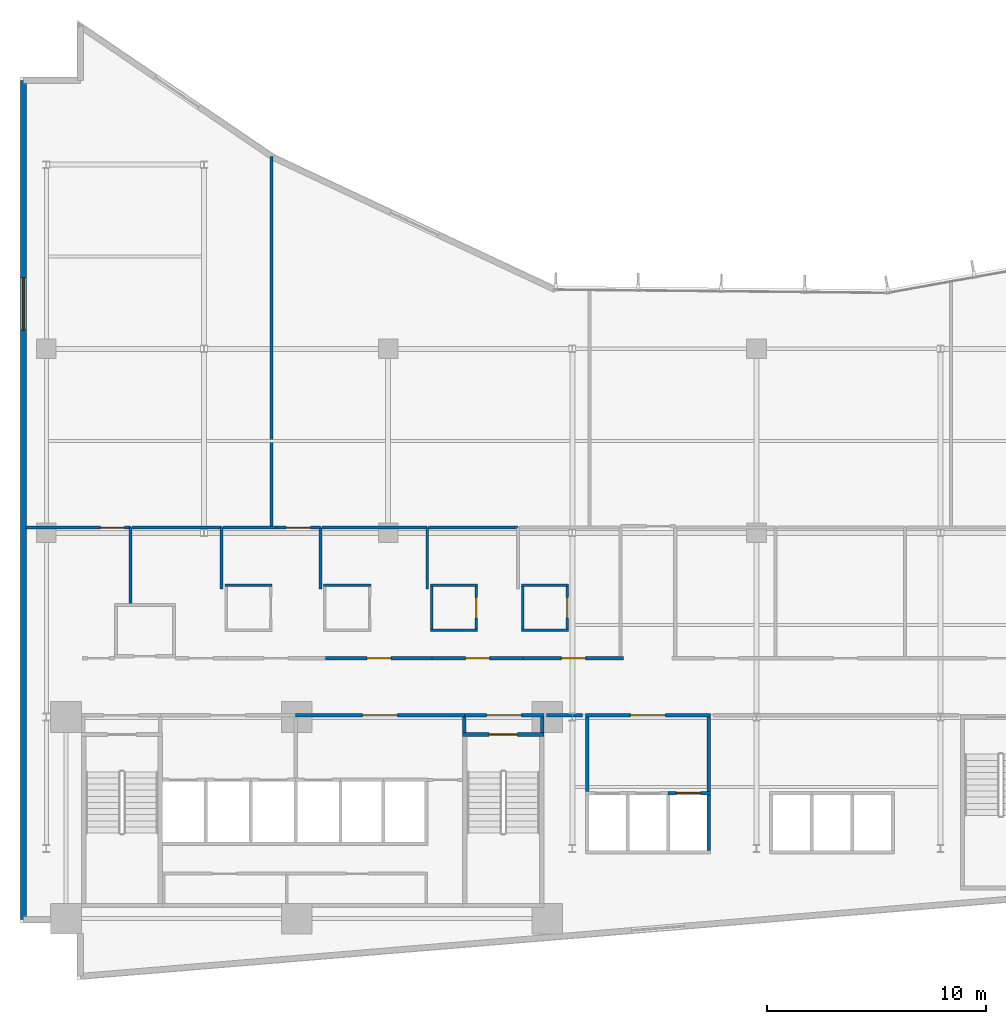
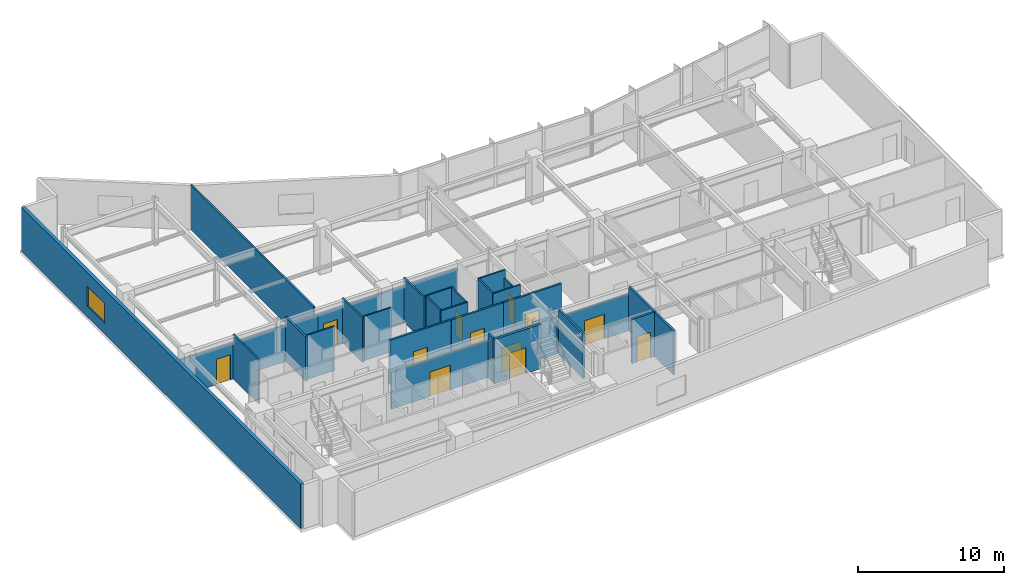
# One storey, part 11 of 18: 36 walls, 12 doors, 1 window, 13 openings.
"""IFC4 building model written with IfcOpenShell, lengths in metres."""

from ifc_helpers import new_model, si_unit, direction, frame, frame_2d, origin, place, context, subcontext, project, spatial, rectangle, extrude, material, layer, layer_set, type_object, element, fill, save


model = new_model("IFC4")

# Units and contexts
model_context = context("Model", 3, precision=1e-05, world=origin(), true_north=direction((0.0, 1.0)))
body_context = subcontext(model_context, "Body", "Model", "MODEL_VIEW")
ifc_project = project(units=[si_unit("LENGTHUNIT", "METRE"), si_unit("AREAUNIT", "SQUARE_METRE"), si_unit("VOLUMEUNIT", "CUBIC_METRE"), si_unit("PLANEANGLEUNIT", "RADIAN"), si_unit("MASSUNIT", "GRAM", prefix="KILO")], contexts=[model_context])

# Site, building, storey
site_placement = place(None, origin())
site = spatial("IfcSite", under=ifc_project, at=site_placement, CompositionType="ELEMENT")
building_placement = place(site_placement, origin())
building = spatial("IfcBuilding", under=site, at=building_placement, Name="Varnakote Quay Hospital", CompositionType="ELEMENT")
storey_placement = place(building_placement, frame((0.0, 0.0, 73.85009765625)))
storey = spatial("IfcBuildingStorey", under=building, at=storey_placement, Name="L18", CompositionType="ELEMENT", Elevation=73.85009765625)

# Wall, opening, door
ifc_material_1 = material(Name="Fire-rated acoustic gypsum stud wall", Category="gypsum")
ifc_layer_1 = layer(ifc_material_1, 0.159912109375)
ifc_layer_set_1 = layer_set([ifc_layer_1], Name="Fire-rated acoustic gypsum stud wall")
wall_type_1 = type_object("IfcWallType", Name="WL-COMP-160", PredefinedType="PARTITIONING", material=ifc_layer_set_1)
wall_1_placement = place(storey_placement, frame((12.580078125, 12.080078125, 0.0), z_axis=(0.0, 0.0, 1.0), x_axis=(1.0, 0.0, 0.0)))
wall_1 = element("IfcWall", 1, at=wall_1_placement, inside=storey, type_object=wall_type_1, Name="L18 Clinical Bed Lift Lobby Wall", PredefinedType="PARTITIONING", context=body_context, shape_type="SweptSolid", body=[
    extrude(rectangle(XDim=7.699951171875, YDim=0.159912109375, at=frame_2d((3.85009765625, 0.0))), origin(), (0.0, 0.0, 1.0), 3.072998046875),
])
opening_1_placement = place(wall_1_placement, frame((3.050048828125, 0.0, 0.0)))
opening_1 = element("IfcOpeningElement", 2, at=opening_1_placement, cuts=wall_1, Name="Opening D-SVL-L18", PredefinedType="OPENING", context=body_context, shape_type="SweptSolid", body=[
    extrude(rectangle(XDim=1.60009765625, YDim=2.050048828125, at=frame_2d((0.800048828125, 1.02490234375))), frame((0.0, 0.08984375, 0.0), z_axis=(0.0, -1.0, 0.0), x_axis=(1.0, 0.0, 0.0)), (0.0, 0.0, 1.0), 0.179931640625),
])
ifc_material_2 = material(Name="Fire-rated double smoke lobby door")
door_type_1 = type_object("IfcDoorType", Name="DR-LOBBY-FD60S-1600x2150", OperationType="NOTDEFINED", PredefinedType="DOOR", material=ifc_material_2)
door_1_placement = place(opening_1_placement, origin())
door_1 = element("IfcDoor", 3, at=door_1_placement, inside=storey, type_object=door_type_1, Name="L18 Clinical Core Smoke Vestibule Door", OperationType="DOUBLE_DOOR_SINGLE_SWING", OverallHeight=2.050048828125, OverallWidth=1.60009765625, PredefinedType="DOOR", context=body_context, shape_type="SweptSolid", body=[
    extrude(rectangle(XDim=1.60009765625, YDim=2.050048828125, at=frame_2d((0.800048828125, 1.02490234375))), frame((0.0, 0.02490234375, 0.0), z_axis=(0.0, -1.0, 0.0), x_axis=(1.0, 0.0, 0.0)), (0.0, 0.0, 1.0), 0.050048828125),
])
fill(opening_1, door_1)

# Wall
wall_2_placement = place(storey_placement, frame((20.280029296875, 11.300048828125, 0.0), z_axis=(0.0, 0.0, 1.0), x_axis=(0.0, 1.0, 0.0)))
element("IfcWall", 4, at=wall_2_placement, inside=storey, type_object=wall_type_1, Name="L18 East Stair Vestibule Divider Wall", PredefinedType="PARTITIONING", context=body_context, shape_type="SweptSolid", body=[
    extrude(rectangle(XDim=0.699951171875, YDim=0.159912109375, at=frame_2d((0.35009765625, 0.0))), origin(), (0.0, 0.0, 1.0), 3.7099609375),
])

# Wall, opening, door
wall_3_placement = place(storey_placement, frame((20.280029296875, 12.080078125, 0.0), z_axis=(0.0, 0.0, 1.0), x_axis=(1.0, 0.0, 0.0)))
wall_3 = element("IfcWall", 5, at=wall_3_placement, inside=storey, type_object=wall_type_1, Name="L18 East Stair Vestibule Smoke Wall", PredefinedType="PARTITIONING", context=body_context, shape_type="SweptSolid", body=[
    extrude(rectangle(XDim=3.619873046875, YDim=0.159912109375, at=frame_2d((1.81005859375, 0.0))), origin(), (0.0, 0.0, 1.0), 3.072998046875),
])
opening_2_placement = place(wall_3_placement, frame((1.010009765625, 0.0, 0.0)))
opening_2 = element("IfcOpeningElement", 6, at=opening_2_placement, cuts=wall_3, Name="Opening D-ST2L-L18", PredefinedType="OPENING", context=body_context, shape_type="SweptSolid", body=[
    extrude(rectangle(XDim=1.60009765625, YDim=2.050048828125, at=frame_2d((0.800048828125, 1.02490234375))), frame((0.0, 0.08984375, 0.0), z_axis=(0.0, -1.0, 0.0), x_axis=(1.0, 0.0, 0.0)), (0.0, 0.0, 1.0), 0.179931640625),
])
door_2_placement = place(opening_2_placement, origin())
door_2 = element("IfcDoor", 7, at=door_2_placement, inside=storey, type_object=door_type_1, Name="L18 East Stair Vestibule Smoke Door", OperationType="DOUBLE_DOOR_SINGLE_SWING", OverallHeight=2.050048828125, OverallWidth=1.60009765625, PredefinedType="DOOR", context=body_context, shape_type="SweptSolid", body=[
    extrude(rectangle(XDim=1.60009765625, YDim=2.050048828125, at=frame_2d((0.800048828125, 1.02490234375))), frame((0.0, 0.02490234375, 0.0), z_axis=(0.0, -1.0, 0.0), x_axis=(1.0, 0.0, 0.0)), (0.0, 0.0, 1.0), 0.050048828125),
])
fill(opening_2, door_2)

# Walls
wall_4_placement = place(storey_placement, frame((23.820068359375, 11.300048828125, 0.0), z_axis=(0.0, 0.0, 1.0), x_axis=(0.0, 1.0, 0.0)))
element("IfcWall", 8, at=wall_4_placement, inside=storey, type_object=wall_type_1, Name="L18 East Stair Vestibule East Wall", PredefinedType="PARTITIONING", context=body_context, shape_type="SweptSolid", body=[
    extrude(rectangle(XDim=0.699951171875, YDim=0.159912109375, at=frame_2d((0.35009765625, 0.0))), origin(), (0.0, 0.0, 1.0), 3.7099609375),
])
for number, where, z_axis, x_axis, name in (
    (9, (25.8701171875, 8.610107421875, 0.0), (0.0, 0.0, 1.0), (0.0, 1.0, 0.0), "L18 Low-Rise Lift Lobby West Wall"),
    (10, (31.429931640625, 8.610107421875, 0.0), (0.0, 0.0, 1.0), (0.0, 1.0, 0.0), "L18 Low-Rise Lift Lobby East Wall"),
):
    element("IfcWall", number, at=place(storey_placement, frame(where, z_axis=z_axis, x_axis=x_axis)), inside=storey, type_object=wall_type_1, Name=name, PredefinedType="PARTITIONING", context=body_context, shape_type="SweptSolid", body=[
        extrude(rectangle(XDim=3.389892578125, YDim=0.159912109375, at=frame_2d((1.69482421875, 0.0))), origin(), (0.0, 0.0, 1.0), 3.7099609375),
    ])

# Wall, opening, door
wall_5_placement = place(storey_placement, frame((25.7900390625, 12.080078125, 0.0), z_axis=(0.0, 0.0, 1.0), x_axis=(1.0, 0.0, 0.0)))
wall_5 = element("IfcWall", 11, at=wall_5_placement, inside=storey, type_object=wall_type_1, Name="L18 Low-Rise Lift Lobby North Wall", PredefinedType="PARTITIONING", context=body_context, shape_type="SweptSolid", body=[
    extrude(rectangle(XDim=5.719970703125, YDim=0.159912109375, at=frame_2d((2.85986328125, 0.0))), origin(), (0.0, 0.0, 1.0), 3.072998046875),
])
opening_3_placement = place(wall_5_placement, frame((2.06005859375, 0.0, 0.0)))
opening_3 = element("IfcOpeningElement", 12, at=opening_3_placement, cuts=wall_5, Name="Opening D-PLL-L18", PredefinedType="OPENING", context=body_context, shape_type="SweptSolid", body=[
    extrude(rectangle(XDim=1.60009765625, YDim=2.050048828125, at=frame_2d((0.800048828125, 1.02490234375))), frame((0.0, 0.08984375, 0.0), z_axis=(0.0, -1.0, 0.0), x_axis=(1.0, 0.0, 0.0)), (0.0, 0.0, 1.0), 0.179931640625),
])
door_3_placement = place(opening_3_placement, origin())
door_3 = element("IfcDoor", 13, at=door_3_placement, inside=storey, type_object=door_type_1, Name="L18 Low-Rise Passenger Concourse Vestibule Door", OperationType="DOUBLE_DOOR_SINGLE_SWING", OverallHeight=2.050048828125, OverallWidth=1.60009765625, PredefinedType="DOOR", context=body_context, shape_type="SweptSolid", body=[
    extrude(rectangle(XDim=1.60009765625, YDim=2.050048828125, at=frame_2d((0.800048828125, 1.02490234375))), frame((0.0, 0.02490234375, 0.0), z_axis=(0.0, -1.0, 0.0), x_axis=(1.0, 0.0, 0.0)), (0.0, 0.0, 1.0), 0.050048828125),
])
fill(opening_3, door_3)

# Walls
wall_6_placement = place(storey_placement, frame((24.02001953125, 12.080078125, 0.0), z_axis=(0.0, 0.0, 1.0), x_axis=(1.0, 0.0, 0.0)))
element("IfcWall", 14, at=wall_6_placement, inside=storey, type_object=wall_type_1, Name="L18 Corridor South Gap Wall", PredefinedType="PARTITIONING", context=body_context, shape_type="SweptSolid", body=[
    extrude(rectangle(XDim=1.64990234375, YDim=0.159912109375, at=frame_2d((0.824951171875, 0.0))), origin(), (0.0, 0.0, 1.0), 3.072998046875),
])
ifc_material_3 = material(Name="Moisture-resistant bathroom partition", Category="gypsum")
ifc_layer_2 = layer(ifc_material_3, 0.114990234375)
ifc_layer_set_2 = layer_set([ifc_layer_2], Name="Moisture-resistant bathroom partition")
wall_type_2 = type_object("IfcWallType", Name="WL-ENS-115", PredefinedType="PARTITIONING", material=ifc_layer_set_2)
wall_7_placement = place(storey_placement, frame((9.344970703125, 18.017578125, 0.0), z_axis=(0.0, 0.0, 1.0), x_axis=(1.0, 0.0, 0.0)))
element("IfcWall", 15, at=wall_7_placement, inside=storey, type_object=wall_type_2, Name="L18 Inpatient En-Suite Bathroom 01 N Wall", PredefinedType="PARTITIONING", context=body_context, shape_type="SweptSolid", body=[
    extrude(rectangle(XDim=2.150146484375, YDim=0.114990234375, at=frame_2d((1.0751953125, 0.0))), origin(), (0.0, 0.0, 1.0), 3.7099609375),
])
for number, where, z_axis, x_axis, name in (
    (16, (13.85498046875, 18.017578125, 0.0), (0.0, 0.0, 1.0), (1.0, 0.0, 0.0), "L18 Inpatient En-Suite Bathroom 02 N Wall"),
    (17, (18.72509765625, 15.952392578125, 0.0), (0.0, 0.0, 1.0), (1.0, 0.0, 0.0), "L18 Inpatient En-Suite Bathroom 03 S Wall"),
    (18, (18.72509765625, 18.017578125, 0.0), (0.0, 0.0, 1.0), (1.0, 0.0, 0.0), "L18 Inpatient En-Suite Bathroom 03 N Wall"),
):
    element("IfcWall", number, at=place(storey_placement, frame(where, z_axis=z_axis, x_axis=x_axis)), inside=storey, type_object=wall_type_2, Name=name, PredefinedType="PARTITIONING", context=body_context, shape_type="SweptSolid", body=[
        extrude(rectangle(XDim=2.14990234375, YDim=0.114990234375, at=frame_2d((1.074951171875, 0.0))), origin(), (0.0, 0.0, 1.0), 3.7099609375),
    ])
wall_8_placement = place(storey_placement, frame((18.782470703125, 16.010009765625, 0.0), z_axis=(0.0, 0.0, 1.0), x_axis=(0.0, 1.0, 0.0)))
element("IfcWall", 19, at=wall_8_placement, inside=storey, type_object=wall_type_2, Name="L18 Inpatient En-Suite Bathroom 03 W Wall", PredefinedType="PARTITIONING", context=body_context, shape_type="SweptSolid", body=[
    extrude(rectangle(XDim=1.949951171875, YDim=0.114990234375, at=frame_2d((0.97509765625, 0.0))), origin(), (0.0, 0.0, 1.0), 3.7099609375),
])

# Wall, opening, door
wall_9_placement = place(storey_placement, frame((20.8173828125, 16.010009765625, 0.0), z_axis=(0.0, 0.0, 1.0), x_axis=(0.0, 1.0, 0.0)))
wall_9 = element("IfcWall", 20, at=wall_9_placement, inside=storey, type_object=wall_type_2, Name="L18 Inpatient En-Suite Bathroom 03 E Wall", PredefinedType="PARTITIONING", context=body_context, shape_type="SweptSolid", body=[
    extrude(rectangle(XDim=1.949951171875, YDim=0.114990234375, at=frame_2d((0.97509765625, 0.0))), origin(), (0.0, 0.0, 1.0), 3.7099609375),
])
opening_4_placement = place(wall_9_placement, frame((0.514892578125, 0.0, 0.0)))
opening_4 = element("IfcOpeningElement", 21, at=opening_4_placement, cuts=wall_9, Name="Opening D-L18-ENS03", PredefinedType="OPENING", context=body_context, shape_type="SweptSolid", body=[
    extrude(rectangle(XDim=0.919921875, YDim=2.10009765625, at=frame_2d((0.4599609375, 1.050048828125))), frame((0.0, 0.0673828125, 0.0), z_axis=(0.0, -1.0, 0.0), x_axis=(1.0, 0.0, 0.0)), (0.0, 0.0, 1.0), 0.135009765625),
])
ifc_material_4 = material(Name="Moisture-sealed en-suite bathroom door")
door_type_2 = type_object("IfcDoorType", Name="DR-ENS-920x2100", OperationType="NOTDEFINED", PredefinedType="DOOR", material=ifc_material_4)
door_4_placement = place(opening_4_placement, origin())
door_4 = element("IfcDoor", 22, at=door_4_placement, inside=storey, type_object=door_type_2, Name="L18 Inpatient En-Suite Bathroom 03 Door", OperationType="SINGLE_SWING_RIGHT", OverallHeight=2.10009765625, OverallWidth=0.919921875, PredefinedType="DOOR", context=body_context, shape_type="SweptSolid", body=[
    extrude(rectangle(XDim=0.919921875, YDim=2.10009765625, at=frame_2d((0.4599609375, 1.050048828125))), frame((0.0, 0.02490234375, 0.0), z_axis=(0.0, -1.0, 0.0), x_axis=(1.0, 0.0, 0.0)), (0.0, 0.0, 1.0), 0.050048828125),
])
fill(opening_4, door_4)

# Walls
for number, where, z_axis, x_axis, name in (
    (23, (22.875, 15.952392578125, 0.0), (0.0, 0.0, 1.0), (1.0, 0.0, 0.0), "L18 Inpatient En-Suite Bathroom 04 S Wall"),
    (24, (22.875, 18.017578125, 0.0), (0.0, 0.0, 1.0), (1.0, 0.0, 0.0), "L18 Inpatient En-Suite Bathroom 04 N Wall"),
):
    element("IfcWall", number, at=place(storey_placement, frame(where, z_axis=z_axis, x_axis=x_axis)), inside=storey, type_object=wall_type_2, Name=name, PredefinedType="PARTITIONING", context=body_context, shape_type="SweptSolid", body=[
        extrude(rectangle(XDim=2.14990234375, YDim=0.114990234375, at=frame_2d((1.074951171875, 0.0))), origin(), (0.0, 0.0, 1.0), 3.7099609375),
    ])
wall_10_placement = place(storey_placement, frame((22.9326171875, 16.010009765625, 0.0), z_axis=(0.0, 0.0, 1.0), x_axis=(0.0, 1.0, 0.0)))
element("IfcWall", 25, at=wall_10_placement, inside=storey, type_object=wall_type_2, Name="L18 Inpatient En-Suite Bathroom 04 W Wall", PredefinedType="PARTITIONING", context=body_context, shape_type="SweptSolid", body=[
    extrude(rectangle(XDim=1.949951171875, YDim=0.114990234375, at=frame_2d((0.97509765625, 0.0))), origin(), (0.0, 0.0, 1.0), 3.7099609375),
])

# Wall, opening, door
wall_11_placement = place(storey_placement, frame((24.967529296875, 16.010009765625, 0.0), z_axis=(0.0, 0.0, 1.0), x_axis=(0.0, 1.0, 0.0)))
wall_11 = element("IfcWall", 26, at=wall_11_placement, inside=storey, type_object=wall_type_2, Name="L18 Inpatient En-Suite Bathroom 04 E Wall", PredefinedType="PARTITIONING", context=body_context, shape_type="SweptSolid", body=[
    extrude(rectangle(XDim=1.949951171875, YDim=0.114990234375, at=frame_2d((0.97509765625, 0.0))), origin(), (0.0, 0.0, 1.0), 3.072998046875),
])
opening_5_placement = place(wall_11_placement, frame((0.514892578125, 0.0, 0.0)))
opening_5 = element("IfcOpeningElement", 27, at=opening_5_placement, cuts=wall_11, Name="Opening D-L18-ENS04", PredefinedType="OPENING", context=body_context, shape_type="SweptSolid", body=[
    extrude(rectangle(XDim=0.919921875, YDim=2.10009765625, at=frame_2d((0.4599609375, 1.050048828125))), frame((0.0, 0.0673828125, 0.0), z_axis=(0.0, -1.0, 0.0), x_axis=(1.0, 0.0, 0.0)), (0.0, 0.0, 1.0), 0.135009765625),
])
door_5_placement = place(opening_5_placement, origin())
door_5 = element("IfcDoor", 28, at=door_5_placement, inside=storey, type_object=door_type_2, Name="L18 Inpatient En-Suite Bathroom 04 Door", OperationType="SINGLE_SWING_LEFT", OverallHeight=2.10009765625, OverallWidth=0.919921875, PredefinedType="DOOR", context=body_context, shape_type="SweptSolid", body=[
    extrude(rectangle(XDim=0.919921875, YDim=2.10009765625, at=frame_2d((0.4599609375, 1.050048828125))), frame((0.0, 0.02490234375, 0.0), z_axis=(0.0, -1.0, 0.0), x_axis=(1.0, 0.0, 0.0)), (0.0, 0.0, 1.0), 0.050048828125),
])
fill(opening_5, door_5)

# Wall, opening, window
ifc_material_5 = material(Name="Precast concrete N50 (f'c 50 MPa)", Category="concrete")
ifc_layer_3 = layer(ifc_material_5, 0.260009765625)
ifc_layer_set_3 = layer_set([ifc_layer_3], Name="Precast concrete N50 (f'c 50 MPa)")
wall_type_3 = type_object("IfcWallType", Name="WL-EXT-BRICK-260", PredefinedType="STANDARD", material=ifc_layer_set_3)
wall_12_placement = place(storey_placement, frame((0.159912109375, 41.0400390625, 0.0), z_axis=(0.0, 0.0, 1.0), x_axis=(0.0, -1.0, 0.0)))
wall_12 = element("IfcWall", 29, at=wall_12_placement, inside=storey, type_object=wall_type_3, Name="L18 Brick-Faced Precast Exterior Wall", PredefinedType="STANDARD", context=body_context, shape_type="SweptSolid", body=[
    extrude(rectangle(XDim=38.280029296875, YDim=0.260009765625, at=frame_2d((19.14013671875, 0.0))), origin(), (0.0, 0.0, 1.0), 3.7099609375),
])
opening_6_placement = place(wall_12_placement, frame((8.989990234375, 0.0, 0.89990234375)))
opening_6 = element("IfcOpeningElement", 30, at=opening_6_placement, cuts=wall_12, Name="Opening WN-0089", PredefinedType="OPENING", context=body_context, shape_type="SweptSolid", body=[
    extrude(rectangle(XDim=2.39990234375, YDim=1.64990234375, at=frame_2d((1.199951171875, 0.824951171875))), frame((0.0, 0.139892578125, 0.0), z_axis=(0.0, -1.0, 0.0), x_axis=(1.0, 0.0, 0.0)), (0.0, 0.0, 1.0), 0.280029296875),
])
ifc_material_6 = material(Name="Double-glazed low-E solar glass", Category="glass")
window_type = type_object("IfcWindowType", Name="WIN-CLIN-2400x1650", PartitioningType="SINGLE_PANEL", PredefinedType="WINDOW", material=ifc_material_6)
window_placement = place(opening_6_placement, origin())
window = element("IfcWindow", 31, at=window_placement, inside=storey, type_object=window_type, Name="L18 Solar-Control Clinical Window", OverallHeight=1.64990234375, OverallWidth=2.39990234375, PartitioningType="SINGLE_PANEL", PredefinedType="WINDOW", context=body_context, shape_type="SweptSolid", body=[
    extrude(rectangle(XDim=2.39990234375, YDim=1.64990234375, at=frame_2d((1.199951171875, 0.824951171875))), frame((0.0, 0.030029296875, 0.0), z_axis=(0.0, -1.0, 0.0), x_axis=(1.0, 0.0, 0.0)), (0.0, 0.0, 1.0), 0.06005859375),
])
fill(opening_6, window)

# Wall
ifc_material_7 = material(Name="Concrete N50 (f'c 50 MPa)", Category="concrete")
ifc_layer_4 = layer(ifc_material_7, 0.159912109375)
ifc_layer_set_4 = layer_set([ifc_layer_4], Name="Concrete N50 (f'c 50 MPa)")
wall_type_4 = type_object("IfcWallType", Name="WL-SHAFT-N50-160", PredefinedType="SHEAR", material=ifc_layer_set_4)
wall_13_placement = place(storey_placement, frame((31.429931640625, 5.89990234375, 0.0), z_axis=(0.0, 0.0, 1.0), x_axis=(0.0, 1.0, 0.0)))
element("IfcWall", 32, at=wall_13_placement, inside=storey, type_object=wall_type_4, Name="L18 LOW Lift Bank East Shear Wall", PredefinedType="SHEAR", context=body_context, shape_type="SweptSolid", body=[
    extrude(rectangle(XDim=2.550048828125, YDim=0.159912109375, at=frame_2d((1.27490234375, 0.0))), origin(), (0.0, 0.0, 1.0), 3.7099609375),
])

# Wall, opening, door
wall_14_placement = place(storey_placement, frame((29.574951171875, 8.530029296875, 0.0), z_axis=(0.0, 0.0, 1.0), x_axis=(1.0, 0.0, 0.0)))
wall_14 = element("IfcWall", 33, at=wall_14_placement, inside=storey, type_object=wall_type_4, Name="L18 LF-PL3 Hoistway Front Wall", PredefinedType="SHEAR", context=body_context, shape_type="SweptSolid", body=[
    extrude(rectangle(XDim=1.93505859375, YDim=0.159912109375, at=frame_2d((0.967529296875, 0.0))), origin(), (0.0, 0.0, 1.0), 3.7099609375),
])
opening_7_placement = place(wall_14_placement, frame((0.375, 0.0, 0.0)))
opening_7 = element("IfcOpeningElement", 34, at=opening_7_placement, cuts=wall_14, Name="Opening LD-PL3-L18", PredefinedType="OPENING", context=body_context, shape_type="SweptSolid", body=[
    extrude(rectangle(XDim=1.10009765625, YDim=2.14990234375, at=frame_2d((0.550048828125, 1.074951171875))), frame((0.0, 0.08984375, 0.0), z_axis=(0.0, -1.0, 0.0), x_axis=(1.0, 0.0, 0.0)), (0.0, 0.0, 1.0), 0.179931640625),
])
ifc_material_8 = material(Name="Brushed bronze lift landing sliding door")
door_type_3 = type_object("IfcDoorType", Name="DR-LIFT-LD-1100x2150", OperationType="NOTDEFINED", PredefinedType="DOOR", material=ifc_material_8)
door_6_placement = place(opening_7_placement, origin())
door_6 = element("IfcDoor", 35, at=door_6_placement, inside=storey, type_object=door_type_3, Name="L18 LF-PL3 Lift Landing Sliding Door", OperationType="SLIDING_TO_LEFT", OverallHeight=2.14990234375, OverallWidth=1.10009765625, PredefinedType="DOOR", context=body_context, shape_type="SweptSolid", body=[
    extrude(rectangle(XDim=1.10009765625, YDim=2.14990234375, at=frame_2d((0.550048828125, 1.074951171875))), frame((0.0, 0.02490234375, 0.0), z_axis=(0.0, -1.0, 0.0), x_axis=(1.0, 0.0, 0.0)), (0.0, 0.0, 1.0), 0.050048828125),
])
fill(opening_7, door_6)

ifc_material_9 = material(Name="Concrete N50 (f'c 50 MPa)", Category="concrete")
ifc_layer_5 = layer(ifc_material_9, 0.199951171875)
ifc_layer_set_5 = layer_set([ifc_layer_5], Name="Concrete N50 (f'c 50 MPa)")
wall_type_5 = type_object("IfcWallType", Name="WL-SHAFT-N50-200", PredefinedType="SHEAR", material=ifc_layer_set_5)
wall_15_placement = place(storey_placement, frame((20.199951171875, 11.199951171875, 0.0), z_axis=(0.0, 0.0, 1.0), x_axis=(1.0, 0.0, 0.0)))
wall_15 = element("IfcWall", 36, at=wall_15_placement, inside=storey, type_object=wall_type_5, Name="L18 Stair ST2 Exit Wall", PredefinedType="SHEAR", context=body_context, shape_type="SweptSolid", body=[
    extrude(rectangle(XDim=3.699951171875, YDim=0.199951171875, at=frame_2d((1.85009765625, 0.0))), origin(), (0.0, 0.0, 1.0), 3.7099609375),
])
opening_8_placement = place(wall_15_placement, frame((1.199951171875, 0.0, 0.0)))
opening_8 = element("IfcOpeningElement", 37, at=opening_8_placement, cuts=wall_15, Name="Opening D-ST2-L18", PredefinedType="OPENING", context=body_context, shape_type="SweptSolid", body=[
    extrude(rectangle(XDim=1.300048828125, YDim=2.14990234375, at=frame_2d((0.64990234375, 1.074951171875))), frame((0.0, 0.10986328125, 0.0), z_axis=(0.0, -1.0, 0.0), x_axis=(1.0, 0.0, 0.0)), (0.0, 0.0, 1.0), 0.219970703125),
])
ifc_material_10 = material(Name="Fire-rated ceramic-glazed timber exit door", Category="wood")
door_type_4 = type_object("IfcDoorType", Name="DR-STAIR-FD60S-1300x2150", OperationType="NOTDEFINED", PredefinedType="DOOR", material=ifc_material_10)
door_7_placement = place(opening_8_placement, origin())
door_7 = element("IfcDoor", 38, at=door_7_placement, inside=storey, type_object=door_type_4, Name="L18 Stair ST2 Fire Exit Door", OperationType="SINGLE_SWING_RIGHT", OverallHeight=2.14990234375, OverallWidth=1.300048828125, PredefinedType="DOOR", context=body_context, shape_type="SweptSolid", body=[
    extrude(rectangle(XDim=1.300048828125, YDim=2.14990234375, at=frame_2d((0.64990234375, 1.074951171875))), frame((0.0, 0.02490234375, 0.0), z_axis=(0.0, -1.0, 0.0), x_axis=(1.0, 0.0, 0.0)), (0.0, 0.0, 1.0), 0.050048828125),
])
fill(opening_8, door_7)

# Wall
ifc_material_11 = material(Name="Smoke-proof clinical partition", Category="gypsum")
ifc_layer_6 = layer(ifc_material_11, 0.135009765625)
ifc_layer_set_6 = layer_set([ifc_layer_6], Name="Smoke-proof clinical partition")
wall_type_6 = type_object("IfcWallType", Name="WL-SMOKE-135", PredefinedType="PARTITIONING", material=ifc_layer_set_6)
wall_16_placement = place(storey_placement, frame((5.050048828125, 17.139892578125, 0.0), z_axis=(0.0, 0.0, 1.0), x_axis=(0.0, 1.0, 0.0)))
element("IfcWall", 39, at=wall_16_placement, inside=storey, type_object=wall_type_6, Name="L18 Clinical Interior Partition", PredefinedType="PARTITIONING", context=body_context, shape_type="SweptSolid", body=[
    extrude(rectangle(XDim=3.5, YDim=0.135009765625, at=frame_2d((1.75, 0.0))), origin(), (0.0, 0.0, 1.0), 3.7099609375),
])

# Wall, opening, door
wall_17_placement = place(storey_placement, frame((5.050048828125, 20.639892578125, 0.0), z_axis=(0.0, 0.0, 1.0), x_axis=(-1.0, 0.0, 0.0)))
wall_17 = element("IfcWall", 40, at=wall_17_placement, inside=storey, type_object=wall_type_6, Name="L18 Clinical Interior Partition", PredefinedType="PARTITIONING", context=body_context, shape_type="SweptSolid", body=[
    extrude(rectangle(XDim=4.81005859375, YDim=0.135009765625, at=frame_2d((2.405029296875, 0.0))), origin(), (0.0, 0.0, 1.0), 3.072998046875),
])
opening_9_placement = place(wall_17_placement, frame((0.28271484375, 0.0, 0.0)))
opening_9 = element("IfcOpeningElement", 41, at=opening_9_placement, cuts=wall_17, Name="Opening D-L18-MD07", PredefinedType="OPENING", context=body_context, shape_type="SweptSolid", body=[
    extrude(rectangle(XDim=1.10009765625, YDim=2.10009765625, at=frame_2d((0.550048828125, 1.050048828125))), frame((0.0, 0.077392578125, 0.0), z_axis=(0.0, -1.0, 0.0), x_axis=(1.0, 0.0, 0.0)), (0.0, 0.0, 1.0), 0.155029296875),
])
ifc_material_12 = material(Name="Acoustic timber clinical consult door", Category="wood")
door_type_5 = type_object("IfcDoorType", Name="DR-CLIN-FD30S-1100x2100", OperationType="NOTDEFINED", PredefinedType="DOOR", material=ifc_material_12)
door_8_placement = place(opening_9_placement, origin())
door_8 = element("IfcDoor", 42, at=door_8_placement, inside=storey, type_object=door_type_5, Name="L18 Nursing Education Meeting Room Door", OperationType="SINGLE_SWING_RIGHT", OverallHeight=2.10009765625, OverallWidth=1.10009765625, PredefinedType="DOOR", context=body_context, shape_type="SweptSolid", body=[
    extrude(rectangle(XDim=1.10009765625, YDim=2.10009765625, at=frame_2d((0.550048828125, 1.050048828125))), frame((0.0, 0.02490234375, 0.0), z_axis=(0.0, -1.0, 0.0), x_axis=(1.0, 0.0, 0.0)), (0.0, 0.0, 1.0), 0.050048828125),
])
fill(opening_9, door_8)

# Walls
wall_18_placement = place(storey_placement, frame((9.199951171875, 17.83251953125, 0.0), z_axis=(0.0, 0.0, 1.0), x_axis=(0.0, 1.0, 0.0)))
element("IfcWall", 43, at=wall_18_placement, inside=storey, type_object=wall_type_6, Name="L18 Clinical Interior Partition", PredefinedType="PARTITIONING", context=body_context, shape_type="SweptSolid", body=[
    extrude(rectangle(XDim=2.807373046875, YDim=0.135009765625, at=frame_2d((1.40380859375, 0.0))), origin(), (0.0, 0.0, 1.0), 3.7099609375),
])
wall_19_placement = place(storey_placement, frame((9.199951171875, 20.639892578125, 0.0), z_axis=(0.0, 0.0, 1.0), x_axis=(-1.0, 0.0, 0.0)))
element("IfcWall", 44, at=wall_19_placement, inside=storey, type_object=wall_type_6, Name="L18 Clinical Interior Partition", PredefinedType="PARTITIONING", context=body_context, shape_type="SweptSolid", body=[
    extrude(rectangle(XDim=4.092529296875, YDim=0.135009765625, at=frame_2d((2.04638671875, 0.0))), origin(), (0.0, 0.0, 1.0), 3.072998046875),
])
wall_20_placement = place(storey_placement, frame((13.7099609375, 17.83251953125, 0.0), z_axis=(0.0, 0.0, 1.0), x_axis=(0.0, 1.0, 0.0)))
element("IfcWall", 45, at=wall_20_placement, inside=storey, type_object=wall_type_6, Name="L18 Clinical Interior Partition", PredefinedType="PARTITIONING", context=body_context, shape_type="SweptSolid", body=[
    extrude(rectangle(XDim=2.807373046875, YDim=0.135009765625, at=frame_2d((1.40380859375, 0.0))), origin(), (0.0, 0.0, 1.0), 3.7099609375),
])
wall_21_placement = place(storey_placement, frame((11.677490234375, 20.639892578125, 0.0), z_axis=(0.0, 0.0, 1.0), x_axis=(-1.0, 0.0, 0.0)))
element("IfcWall", 46, at=wall_21_placement, inside=storey, type_object=wall_type_6, Name="L18 Clinical Interior Partition", PredefinedType="PARTITIONING", context=body_context, shape_type="SweptSolid", body=[
    extrude(rectangle(XDim=2.419921875, YDim=0.135009765625, at=frame_2d((1.2099609375, 0.0))), origin(), (0.0, 0.0, 1.0), 3.072998046875),
])

# Wall, opening, door
wall_22_placement = place(storey_placement, frame((13.7099609375, 20.639892578125, 0.0), z_axis=(0.0, 0.0, 1.0), x_axis=(-1.0, 0.0, 0.0)))
wall_22 = element("IfcWall", 47, at=wall_22_placement, inside=storey, type_object=wall_type_6, Name="L18 Clinical Interior Partition", PredefinedType="PARTITIONING", context=body_context, shape_type="SweptSolid", body=[
    extrude(rectangle(XDim=2.030517578125, YDim=0.135009765625, at=frame_2d((1.01513671875, 0.0))), origin(), (0.0, 0.0, 1.0), 3.072998046875),
])
opening_10_placement = place(wall_22_placement, frame((0.465087890625, 0.0, 0.0)))
opening_10 = element("IfcOpeningElement", 48, at=opening_10_placement, cuts=wall_22, Name="Opening D-L18-MD08", PredefinedType="OPENING", context=body_context, shape_type="SweptSolid", body=[
    extrude(rectangle(XDim=1.10009765625, YDim=2.10009765625, at=frame_2d((0.550048828125, 1.050048828125))), frame((0.0, 0.077392578125, 0.0), z_axis=(0.0, -1.0, 0.0), x_axis=(1.0, 0.0, 0.0)), (0.0, 0.0, 1.0), 0.155029296875),
])
door_9_placement = place(opening_10_placement, origin())
door_9 = element("IfcDoor", 49, at=door_9_placement, inside=storey, type_object=door_type_5, Name="L18 Ward Preparation Pantry Door", OperationType="SINGLE_SWING_LEFT", OverallHeight=2.10009765625, OverallWidth=1.10009765625, PredefinedType="DOOR", context=body_context, shape_type="SweptSolid", body=[
    extrude(rectangle(XDim=1.10009765625, YDim=2.10009765625, at=frame_2d((0.550048828125, 1.050048828125))), frame((0.0, 0.02490234375, 0.0), z_axis=(0.0, -1.0, 0.0), x_axis=(1.0, 0.0, 0.0)), (0.0, 0.0, 1.0), 0.050048828125),
])
fill(opening_10, door_9)

# Walls
wall_23_placement = place(storey_placement, frame((18.580078125, 17.83251953125, 0.0), z_axis=(0.0, 0.0, 1.0), x_axis=(0.0, 1.0, 0.0)))
element("IfcWall", 50, at=wall_23_placement, inside=storey, type_object=wall_type_6, Name="L18 Clinical Interior Partition", PredefinedType="PARTITIONING", context=body_context, shape_type="SweptSolid", body=[
    extrude(rectangle(XDim=2.807373046875, YDim=0.135009765625, at=frame_2d((1.40380859375, 0.0))), origin(), (0.0, 0.0, 1.0), 3.7099609375),
])
wall_24_placement = place(storey_placement, frame((18.580078125, 20.639892578125, 0.0), z_axis=(0.0, 0.0, 1.0), x_axis=(-1.0, 0.0, 0.0)))
element("IfcWall", 51, at=wall_24_placement, inside=storey, type_object=wall_type_6, Name="L18 Clinical Interior Partition", PredefinedType="PARTITIONING", context=body_context, shape_type="SweptSolid", body=[
    extrude(rectangle(XDim=4.8125, YDim=0.135009765625, at=frame_2d((2.40625, 0.0))), origin(), (0.0, 0.0, 1.0), 3.072998046875),
])
wall_25_placement = place(storey_placement, frame((22.72998046875, 20.639892578125, 0.0), z_axis=(0.0, 0.0, 1.0), x_axis=(-1.0, 0.0, 0.0)))
element("IfcWall", 52, at=wall_25_placement, inside=storey, type_object=wall_type_6, Name="L18 Clinical Interior Partition", PredefinedType="PARTITIONING", context=body_context, shape_type="SweptSolid", body=[
    extrude(rectangle(XDim=4.092529296875, YDim=0.135009765625, at=frame_2d((2.04638671875, 0.0))), origin(), (0.0, 0.0, 1.0), 3.072998046875),
])
wall_26_placement = place(storey_placement, frame((11.469970703125, 20.697509765625, 0.0), z_axis=(0.0, 0.0, 1.0), x_axis=(0.0, 1.0, 0.0)))
element("IfcWall", 53, at=wall_26_placement, inside=storey, type_object=wall_type_6, Name="L18 Clinical Interior Partition", PredefinedType="PARTITIONING", context=body_context, shape_type="SweptSolid", body=[
    extrude(rectangle(XDim=16.880615234375, YDim=0.135009765625, at=frame_2d((8.4404296875, 0.0))), origin(), (0.0, 0.0, 1.0), 3.7099609375),
])

# Wall, opening, door
ifc_material_13 = material(Name="Fire-rated clinical gypsum partition", Category="gypsum")
ifc_layer_7 = layer(ifc_material_13, 0.14990234375)
ifc_layer_set_7 = layer_set([ifc_layer_7], Name="Fire-rated clinical gypsum partition")
wall_type_7 = type_object("IfcWallType", Name="WL-WARD-150", PredefinedType="PARTITIONING", material=ifc_layer_set_7)
wall_27_placement = place(storey_placement, frame((18.805908203125, 14.679931640625, 0.0), z_axis=(0.0, 0.0, 1.0), x_axis=(-1.0, 0.0, 0.0)))
wall_27 = element("IfcWall", 54, at=wall_27_placement, inside=storey, type_object=wall_type_7, Name="L18 Clinical Interior Partition", PredefinedType="PARTITIONING", context=body_context, shape_type="SweptSolid", body=[
    extrude(rectangle(XDim=4.867919921875, YDim=0.14990234375, at=frame_2d((2.43408203125, 0.0))), origin(), (0.0, 0.0, 1.0), 3.7099609375),
])
opening_11_placement = place(wall_27_placement, frame((1.884033203125, 0.0, 0.0)))
opening_11 = element("IfcOpeningElement", 55, at=opening_11_placement, cuts=wall_27, Name="Opening D-L18-BR02", PredefinedType="OPENING", context=body_context, shape_type="SweptSolid", body=[
    extrude(rectangle(XDim=1.10009765625, YDim=2.10009765625, at=frame_2d((0.550048828125, 1.050048828125))), frame((0.0, 0.0849609375, 0.0), z_axis=(0.0, -1.0, 0.0), x_axis=(1.0, 0.0, 0.0)), (0.0, 0.0, 1.0), 0.169921875),
])
door_10_placement = place(opening_11_placement, origin())
door_10 = element("IfcDoor", 56, at=door_10_placement, inside=storey, type_object=door_type_5, Name="L18 Inpatient Clinical Treatment Room 02 Door", OperationType="SINGLE_SWING_RIGHT", OverallHeight=2.10009765625, OverallWidth=1.10009765625, PredefinedType="DOOR", context=body_context, shape_type="SweptSolid", body=[
    extrude(rectangle(XDim=1.10009765625, YDim=2.10009765625, at=frame_2d((0.550048828125, 1.050048828125))), frame((0.0, 0.02490234375, 0.0), z_axis=(0.0, -1.0, 0.0), x_axis=(1.0, 0.0, 0.0)), (0.0, 0.0, 1.0), 0.050048828125),
])
fill(opening_11, door_10)

wall_28_placement = place(storey_placement, frame((22.9560546875, 14.679931640625, 0.0), z_axis=(0.0, 0.0, 1.0), x_axis=(-1.0, 0.0, 0.0)))
wall_28 = element("IfcWall", 57, at=wall_28_placement, inside=storey, type_object=wall_type_7, Name="L18 Clinical Interior Partition", PredefinedType="PARTITIONING", context=body_context, shape_type="SweptSolid", body=[
    extrude(rectangle(XDim=4.14794921875, YDim=0.14990234375, at=frame_2d((2.073974609375, 0.0))), origin(), (0.0, 0.0, 1.0), 3.7099609375),
])
opening_12_placement = place(wall_28_placement, frame((1.52392578125, 0.0, 0.0)))
opening_12 = element("IfcOpeningElement", 58, at=opening_12_placement, cuts=wall_28, Name="Opening D-L18-BR03", PredefinedType="OPENING", context=body_context, shape_type="SweptSolid", body=[
    extrude(rectangle(XDim=1.10009765625, YDim=2.10009765625, at=frame_2d((0.550048828125, 1.050048828125))), frame((0.0, 0.0849609375, 0.0), z_axis=(0.0, -1.0, 0.0), x_axis=(1.0, 0.0, 0.0)), (0.0, 0.0, 1.0), 0.169921875),
])
door_11_placement = place(opening_12_placement, origin())
door_11 = element("IfcDoor", 59, at=door_11_placement, inside=storey, type_object=door_type_5, Name="L18 Inpatient Clinical Treatment Room 03 Door", OperationType="SINGLE_SWING_LEFT", OverallHeight=2.10009765625, OverallWidth=1.10009765625, PredefinedType="DOOR", context=body_context, shape_type="SweptSolid", body=[
    extrude(rectangle(XDim=1.10009765625, YDim=2.10009765625, at=frame_2d((0.550048828125, 1.050048828125))), frame((0.0, 0.02490234375, 0.0), z_axis=(0.0, -1.0, 0.0), x_axis=(1.0, 0.0, 0.0)), (0.0, 0.0, 1.0), 0.050048828125),
])
fill(opening_12, door_11)

wall_29_placement = place(storey_placement, frame((27.5458984375, 14.679931640625, 0.0), z_axis=(0.0, 0.0, 1.0), x_axis=(-1.0, 0.0, 0.0)))
wall_29 = element("IfcWall", 60, at=wall_29_placement, inside=storey, type_object=wall_type_7, Name="L18 Clinical Interior Partition", PredefinedType="PARTITIONING", context=body_context, shape_type="SweptSolid", body=[
    extrude(rectangle(XDim=4.587890625, YDim=0.14990234375, at=frame_2d((2.2939453125, 0.0))), origin(), (0.0, 0.0, 1.0), 3.7099609375),
])
opening_13_placement = place(wall_29_placement, frame((1.743896484375, 0.0, 0.0)))
opening_13 = element("IfcOpeningElement", 61, at=opening_13_placement, cuts=wall_29, Name="Opening D-L18-BR04", PredefinedType="OPENING", context=body_context, shape_type="SweptSolid", body=[
    extrude(rectangle(XDim=1.10009765625, YDim=2.10009765625, at=frame_2d((0.550048828125, 1.050048828125))), frame((0.0, 0.0849609375, 0.0), z_axis=(0.0, -1.0, 0.0), x_axis=(1.0, 0.0, 0.0)), (0.0, 0.0, 1.0), 0.169921875),
])
door_12_placement = place(opening_13_placement, origin())
door_12 = element("IfcDoor", 62, at=door_12_placement, inside=storey, type_object=door_type_5, Name="L18 Inpatient Clinical Treatment Room 04 Door", OperationType="SINGLE_SWING_RIGHT", OverallHeight=2.10009765625, OverallWidth=1.10009765625, PredefinedType="DOOR", context=body_context, shape_type="SweptSolid", body=[
    extrude(rectangle(XDim=1.10009765625, YDim=2.10009765625, at=frame_2d((0.550048828125, 1.050048828125))), frame((0.0, 0.02490234375, 0.0), z_axis=(0.0, -1.0, 0.0), x_axis=(1.0, 0.0, 0.0)), (0.0, 0.0, 1.0), 0.050048828125),
])
fill(opening_13, door_12)

save(model, "model.ifc")
